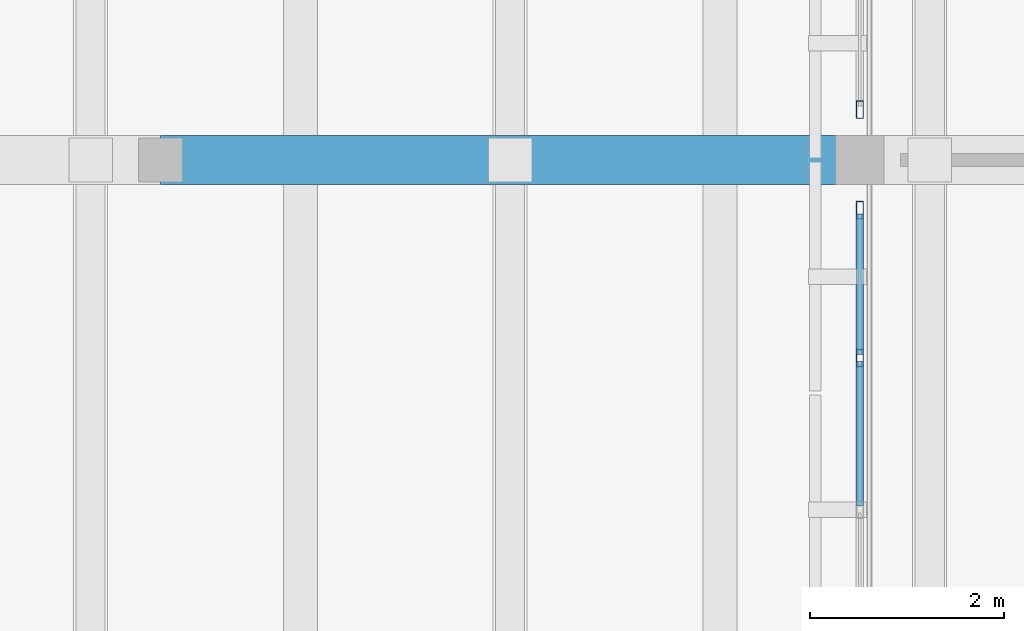
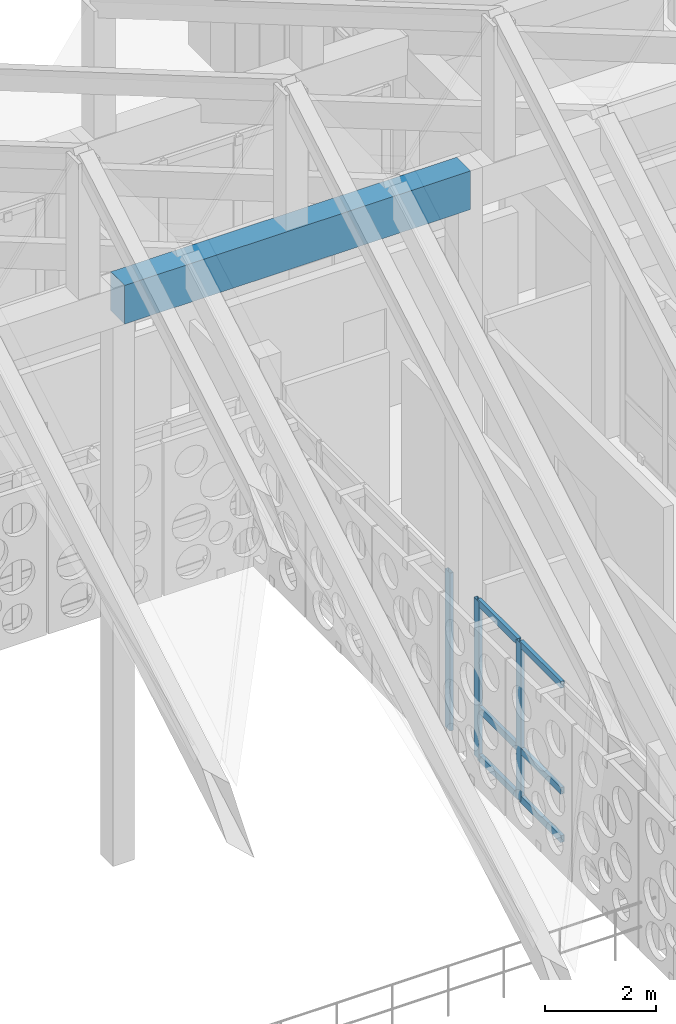
# One storey, part 44 of 171: 9 members, 1 beam, 2 elements without a shape of their own.
"""IFC4 building model written with IfcOpenShell, lengths in metres."""

from ifc_helpers import new_model, si_unit, direction, frame, origin, origin_2d, place, context, subcontext, project, spatial, rectangle, hollow_rectangle, extrude, material, material_profile, profile_set, type_object, element, aggregate, save


model = new_model("IFC4")

# Units and contexts
model_context = context("Model", 3, precision=1e-05, world=origin(), true_north=direction((0.0, 1.0)))
body_context = subcontext(model_context, "Body", "Model", "MODEL_VIEW")
ifc_project = project(units=[si_unit("LENGTHUNIT", "METRE"), si_unit("AREAUNIT", "SQUARE_METRE"), si_unit("VOLUMEUNIT", "CUBIC_METRE"), si_unit("PLANEANGLEUNIT", "RADIAN"), si_unit("MASSUNIT", "GRAM", prefix="KILO")], contexts=[model_context])

# Site, building, storey
site_placement = place(None, origin())
site = spatial("IfcSite", under=ifc_project, at=site_placement, CompositionType="ELEMENT")
building_placement = place(site_placement, origin())
building = spatial("IfcBuilding", under=site, at=building_placement, Name="Aldebral Square Health Centre", CompositionType="ELEMENT")
storey_placement = place(building_placement, frame((0.0, 0.0, 4.5)))
storey = spatial("IfcBuildingStorey", under=building, at=storey_placement, Name="L01", CompositionType="ELEMENT", Elevation=4.5)

# Beam
ifc_material_1 = material(Name="Concrete C40/50", Category="concrete")
ifc_material_profile_1 = material_profile(ifc_material_1, rectangle(XDim=0.5, YDim=0.85009765625, at=origin_2d()), Name="RC 500x850")
ifc_profile_set_1 = profile_set([ifc_material_profile_1], Name="Concrete C40/50")
beam_type = type_object("IfcBeamType", Name="BM-G1", PredefinedType="T_BEAM", material=ifc_profile_set_1)
beam_placement = place(storey_placement, frame((93.60009765625, 86.39990234375, 12.294921875), z_axis=(1.0, 0.0, 0.0), x_axis=(0.0, 1.0, 0.0)))
element("IfcBeam", 1, at=beam_placement, inside=storey, type_object=beam_type, Name="Waiting Hall diaphragm girder SPINE-M 14", PredefinedType="T_BEAM", context=body_context, shape_type="SweptSolid", body=[
    extrude(rectangle(XDim=0.5, YDim=0.85009765625, at=origin_2d()), origin(), (0.0, 0.0, 1.0), 7.199951171875),
])

# Curtain wall, members
ifc_material_2 = material(Name="Aluminium and low-E solar glass", Category="aluminium")
curtain_wall_type = type_object("IfcCurtainWallType", Name="CW-HALL-SYS", PredefinedType="USERDEFINED", material=ifc_material_2)
curtain_wall_1_placement = place(storey_placement, origin())
curtain_wall_1 = element("IfcCurtainWall", 2, at=curtain_wall_1_placement, inside=storey, type_object=curtain_wall_type, Name="L01 V1 hall curtain wall L01-V1-14-11-W", ObjectType="HALL_CURTAIN_WALL", PredefinedType="USERDEFINED")
ifc_material_3 = material(Name="Anodised aluminium mullion", Category="aluminium")
ifc_material_profile_2 = material_profile(ifc_material_3, hollow_rectangle(XDim=0.074951171875, YDim=0.179931640625, WallThickness=0.00390625, at=origin_2d()), Name="CWM 75x180x4")
ifc_profile_set_2 = profile_set([ifc_material_profile_2], Name="Anodised aluminium mullion")
member_type_1 = type_object("IfcMemberType", Name="CWM-STD", PredefinedType="MULLION", material=ifc_profile_set_2)
member_1_placement = place(storey_placement, frame((100.800048828125, 85.882568359375, 0.0), z_axis=(0.0, 0.0, 1.0), x_axis=(1.0, 0.0, 0.0)))
member_1 = element("IfcMember", 3, at=member_1_placement, type_object=member_type_1, Name="CW2 mullion 1", PredefinedType="MULLION", context=body_context, shape_type="SweptSolid", body=[
    extrude(hollow_rectangle(XDim=0.074951171875, YDim=0.179931640625, WallThickness=0.00390625, at=origin_2d()), origin(), (0.0, 0.0, 1.0), 3.469970703125),
])
member_2_placement = place(storey_placement, frame((100.800048828125, 84.360107421875, 0.0), z_axis=(0.0, 0.0, 1.0), x_axis=(1.0, 0.0, 0.0)))
member_2 = element("IfcMember", 4, at=member_2_placement, type_object=member_type_1, Name="CW2 mullion 2", PredefinedType="MULLION", context=body_context, shape_type="SweptSolid", body=[
    extrude(hollow_rectangle(XDim=0.074951171875, YDim=0.179931640625, WallThickness=0.00390625, at=origin_2d()), origin(), (0.0, 0.0, 1.0), 3.469970703125),
])

# Curtain wall, member
curtain_wall_2_placement = place(storey_placement, origin())
curtain_wall_2 = element("IfcCurtainWall", 5, at=curtain_wall_2_placement, inside=storey, type_object=curtain_wall_type, Name="L01 V1 hall curtain wall L01-V1-14-12-W", ObjectType="HALL_CURTAIN_WALL", PredefinedType="USERDEFINED")
member_3_placement = place(storey_placement, frame((100.800048828125, 86.91748046875, 0.0), z_axis=(0.0, 0.0, 1.0), x_axis=(1.0, 0.0, 0.0)))
member_3 = element("IfcMember", 6, at=member_3_placement, type_object=member_type_1, Name="CW2 mullion 5", PredefinedType="MULLION", context=body_context, shape_type="SweptSolid", body=[
    extrude(hollow_rectangle(XDim=0.074951171875, YDim=0.179931640625, WallThickness=0.00390625, at=origin_2d()), origin(), (0.0, 0.0, 1.0), 3.469970703125),
])
aggregate(curtain_wall_2, [member_3])

# Member
ifc_material_4 = material(Name="Anodised aluminium transom", Category="aluminium")
ifc_material_profile_3 = material_profile(ifc_material_4, hollow_rectangle(XDim=0.074951171875, YDim=0.14990234375, WallThickness=0.00390625, at=origin_2d()), Name="CWT 75x150x4")
ifc_profile_set_3 = profile_set([ifc_material_profile_3], Name="Anodised aluminium transom")
member_type_2 = type_object("IfcMemberType", Name="CWT-STD", PredefinedType="USERDEFINED", material=ifc_profile_set_3)
member_4_placement = place(storey_placement, frame((100.800048828125, 85.844970703125, 0.03759765625), z_axis=(0.0, -1.0, 0.0), x_axis=(1.0, 0.0, 0.0)))
member_4 = element("IfcMember", 7, at=member_4_placement, type_object=member_type_2, Name="CW2 transom 1.1", ObjectType="TRANSOM", PredefinedType="USERDEFINED", context=body_context, shape_type="SweptSolid", body=[
    extrude(hollow_rectangle(XDim=0.074951171875, YDim=0.14990234375, WallThickness=0.00390625, at=origin_2d()), origin(), (0.0, 0.0, 1.0), 1.447509765625),
])

member_5_placement = place(storey_placement, frame((100.800048828125, 85.844970703125, 1.10009765625), z_axis=(0.0, -1.0, 0.0), x_axis=(1.0, 0.0, 0.0)))
member_5 = element("IfcMember", 8, at=member_5_placement, type_object=member_type_2, Name="CW2 transom 1.2", ObjectType="TRANSOM", PredefinedType="USERDEFINED", context=body_context, shape_type="SweptSolid", body=[
    extrude(hollow_rectangle(XDim=0.074951171875, YDim=0.14990234375, WallThickness=0.00390625, at=origin_2d()), origin(), (0.0, 0.0, 1.0), 1.447509765625),
])

member_6_placement = place(storey_placement, frame((100.800048828125, 85.844970703125, 3.4326171875), z_axis=(0.0, -1.0, 0.0), x_axis=(1.0, 0.0, 0.0)))
member_6 = element("IfcMember", 9, at=member_6_placement, type_object=member_type_2, Name="CW2 transom 1.3", ObjectType="TRANSOM", PredefinedType="USERDEFINED", context=body_context, shape_type="SweptSolid", body=[
    extrude(hollow_rectangle(XDim=0.074951171875, YDim=0.14990234375, WallThickness=0.00390625, at=origin_2d()), origin(), (0.0, 0.0, 1.0), 1.447509765625),
])

member_7_placement = place(storey_placement, frame((100.800048828125, 84.322509765625, 0.03759765625), z_axis=(0.0, -1.0, 0.0), x_axis=(1.0, 0.0, 0.0)))
member_7 = element("IfcMember", 10, at=member_7_placement, type_object=member_type_2, Name="CW2 transom 2.1", ObjectType="TRANSOM", PredefinedType="USERDEFINED", context=body_context, shape_type="SweptSolid", body=[
    extrude(hollow_rectangle(XDim=0.074951171875, YDim=0.14990234375, WallThickness=0.00390625, at=origin_2d()), origin(), (0.0, 0.0, 1.0), 1.485107421875),
])

member_8_placement = place(storey_placement, frame((100.800048828125, 84.322509765625, 1.10009765625), z_axis=(0.0, -1.0, 0.0), x_axis=(1.0, 0.0, 0.0)))
member_8 = element("IfcMember", 11, at=member_8_placement, type_object=member_type_2, Name="CW2 transom 2.2", ObjectType="TRANSOM", PredefinedType="USERDEFINED", context=body_context, shape_type="SweptSolid", body=[
    extrude(hollow_rectangle(XDim=0.074951171875, YDim=0.14990234375, WallThickness=0.00390625, at=origin_2d()), origin(), (0.0, 0.0, 1.0), 1.485107421875),
])

member_9_placement = place(storey_placement, frame((100.800048828125, 84.322509765625, 3.4326171875), z_axis=(0.0, -1.0, 0.0), x_axis=(1.0, 0.0, 0.0)))
member_9 = element("IfcMember", 12, at=member_9_placement, type_object=member_type_2, Name="CW2 transom 2.3", ObjectType="TRANSOM", PredefinedType="USERDEFINED", context=body_context, shape_type="SweptSolid", body=[
    extrude(hollow_rectangle(XDim=0.074951171875, YDim=0.14990234375, WallThickness=0.00390625, at=origin_2d()), origin(), (0.0, 0.0, 1.0), 1.485107421875),
])

aggregate(curtain_wall_1, [member_1, member_2, member_4, member_5, member_6, member_7, member_8, member_9])

save(model, "model.ifc")
